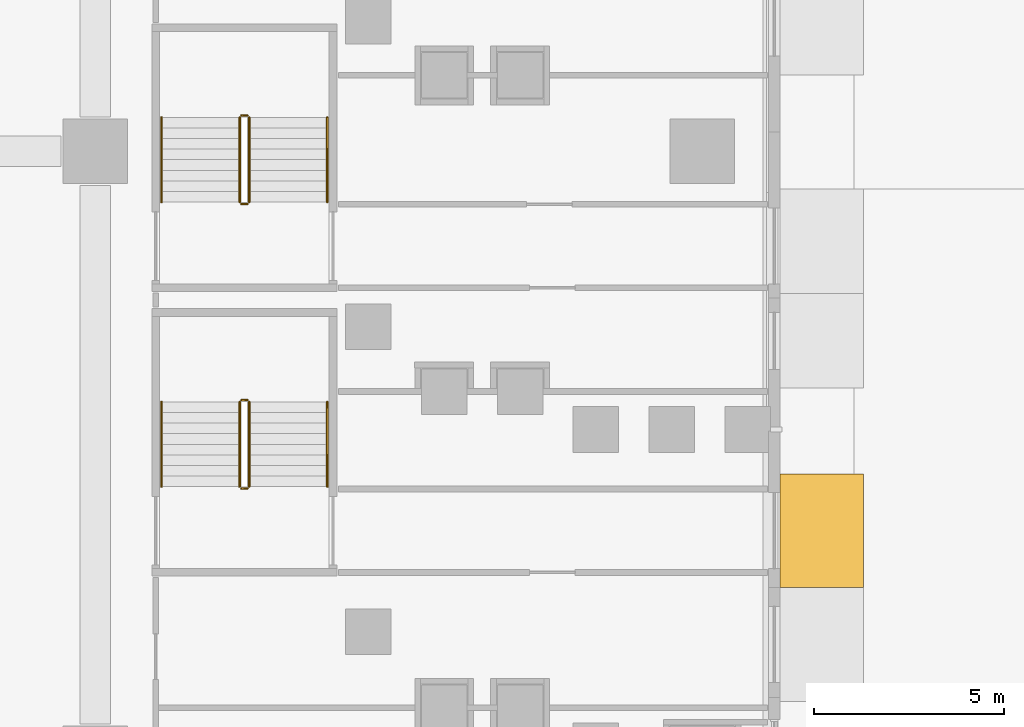
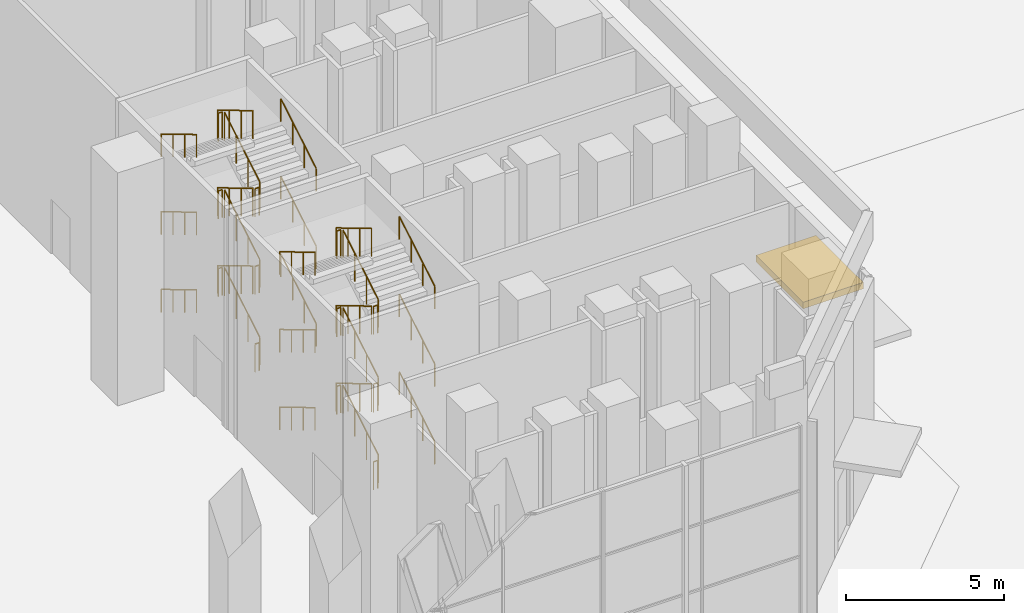
# One storey, part 40 of 51: 36 railings, 1 shading device.
"""IFC4 building model written with IfcOpenShell, lengths in metres."""

from ifc_helpers import new_model, si_unit, direction, frame, origin, origin_2d, place, context, subcontext, project, spatial, rectangle, circle, extrude, material, layer, layer_set, type_object, element, save


model = new_model("IFC4")

# Units and contexts
model_context = context("Model", 3, precision=1e-05, world=origin(), true_north=direction((0.0, 1.0)))
body_context = subcontext(model_context, "Body", "Model", "MODEL_VIEW")
ifc_project = project(units=[si_unit("LENGTHUNIT", "METRE"), si_unit("AREAUNIT", "SQUARE_METRE"), si_unit("VOLUMEUNIT", "CUBIC_METRE"), si_unit("PLANEANGLEUNIT", "RADIAN"), si_unit("MASSUNIT", "GRAM", prefix="KILO")], contexts=[model_context])

# Site, building, storey
site_placement = place(None, origin())
site = spatial("IfcSite", under=ifc_project, at=site_placement, CompositionType="ELEMENT")
building_placement = place(site_placement, origin())
building = spatial("IfcBuilding", under=site, at=building_placement, Name="Calabash Gate Tower", CompositionType="ELEMENT")
storey_placement = place(building_placement, origin())
storey = spatial("IfcBuildingStorey", under=building, at=storey_placement, Name="L00", CompositionType="ELEMENT", Elevation=0.0)

# Shading device
ifc_material_1 = material(Name="Steel framed canopy with laminated glass", Category="steel")
ifc_layer = layer(ifc_material_1, 0.25)
ifc_layer_set = layer_set([ifc_layer], Name="Entrance canopy 250")
shading_device_type = type_object("IfcShadingDeviceType", Name="Entrance canopy 250", PredefinedType="AWNING", material=ifc_layer_set)
shading_device_placement = place(storey_placement, frame((51.14990234375, -34.0, 3.60009765625), z_axis=(0.0, 0.0, 1.0), x_axis=(0.0, 1.0, 0.0)))
element("IfcShadingDevice", 1, at=shading_device_placement, inside=storey, type_object=shading_device_type, Name="Entrance canopy 7", PredefinedType="AWNING", context=body_context, shape_type="SweptSolid", body=[
    extrude(rectangle(XDim=3.0, YDim=2.199951171875, at=origin_2d()), origin(), (0.0, 0.0, 1.0), 0.25),
])

# Railings
ifc_material_2 = material(Name="Black powder-coated steel balusters", Category="steel")
railing_type_1 = type_object("IfcRailingType", Name="Stair guard RL1100", PredefinedType="GUARDRAIL", material=ifc_material_2)
railing_1_placement = place(storey_placement, frame((36.06005859375, -32.840087890625, 0.166748046875)))
element("IfcRailing", 2, at=railing_1_placement, inside=storey, type_object=railing_type_1, Name="L00 PS6 stair guard 1", PredefinedType="GUARDRAIL", context=body_context, shape_type="SweptSolid", body=[
    extrude(circle(Radius=0.02392578125, at=origin_2d()), frame((0.0, 0.0, 1.076171875), z_axis=(0.0, 0.8585185817, 0.512782453753), x_axis=(-1.0, 0.0, 0.0)), (0.0, 0.0, 1.0), 2.60009765625),
    extrude(circle(Radius=0.02099609375, at=origin_2d()), origin(), (0.0, 0.0, 1.0), 1.052001953125),
    extrude(circle(Radius=0.02099609375, at=origin_2d()), frame((0.0, 0.744140625, 0.4443359375)), (0.0, 0.0, 1.0), 1.052001953125),
    extrude(circle(Radius=0.02099609375, at=origin_2d()), frame((0.0, 1.488037109375, 0.888916015625)), (0.0, 0.0, 1.0), 1.052001953125),
    extrude(circle(Radius=0.02099609375, at=origin_2d()), frame((0.0, 2.232177734375, 1.333251953125)), (0.0, 0.0, 1.0), 1.052001953125),
])
railing_2_placement = place(storey_placement, frame((36.010009765625, -30.55810546875, 1.5)))
element("IfcRailing", 3, at=railing_2_placement, inside=storey, type_object=railing_type_1, Name="L00 PS6 stair guard 2", PredefinedType="GUARDRAIL", context=body_context, shape_type="SweptSolid", body=[
    extrude(circle(Radius=0.02392578125, at=origin_2d()), frame((0.0, 0.0, 1.076171875), z_axis=(-1.0, 0.0, 0.0), x_axis=(0.0, -1.0, 0.0)), (0.0, 0.0, 1.0), 0.14990234375),
    extrude(circle(Radius=0.02099609375, at=origin_2d()), origin(), (0.0, 0.0, 1.0), 1.052001953125),
    extrude(circle(Radius=0.02099609375, at=origin_2d()), frame((-0.14990234375, 0.0, 0.0)), (0.0, 0.0, 1.0), 1.052001953125),
])
railing_3_placement = place(storey_placement, frame((35.81005859375, -30.60791015625, 1.666748046875)))
element("IfcRailing", 4, at=railing_3_placement, inside=storey, type_object=railing_type_1, Name="L00 PS6 stair guard 3", PredefinedType="GUARDRAIL", context=body_context, shape_type="SweptSolid", body=[
    extrude(circle(Radius=0.02392578125, at=origin_2d()), frame((0.0, 0.0, 1.076171875), z_axis=(0.0, -0.8585185817, 0.512782453753), x_axis=(1.0, 0.0, 0.0)), (0.0, 0.0, 1.0), 2.60009765625),
    extrude(circle(Radius=0.02099609375, at=origin_2d()), origin(), (0.0, 0.0, 1.0), 1.052001953125),
    extrude(circle(Radius=0.02099609375, at=origin_2d()), frame((0.0, -0.744140625, 0.4443359375)), (0.0, 0.0, 1.0), 1.052001953125),
    extrude(circle(Radius=0.02099609375, at=origin_2d()), frame((0.0, -1.488037109375, 0.888916015625)), (0.0, 0.0, 1.0), 1.052001953125),
    extrude(circle(Radius=0.02099609375, at=origin_2d()), frame((0.0, -2.232177734375, 1.333251953125)), (0.0, 0.0, 1.0), 1.052001953125),
])
railing_4_placement = place(storey_placement, frame((36.010009765625, -32.889892578125, 3.0)))
element("IfcRailing", 5, at=railing_4_placement, inside=storey, type_object=railing_type_1, Name="L00 PS6 stair guard 4", PredefinedType="GUARDRAIL", context=body_context, shape_type="SweptSolid", body=[
    extrude(circle(Radius=0.02392578125, at=origin_2d()), frame((0.0, 0.0, 1.076171875), z_axis=(-1.0, 0.0, 0.0), x_axis=(0.0, -1.0, 0.0)), (0.0, 0.0, 1.0), 0.14990234375),
    extrude(circle(Radius=0.02099609375, at=origin_2d()), origin(), (0.0, 0.0, 1.0), 1.052001953125),
    extrude(circle(Radius=0.02099609375, at=origin_2d()), frame((-0.14990234375, 0.0, 0.0)), (0.0, 0.0, 1.0), 1.052001953125),
])
railing_5_placement = place(storey_placement, frame((36.06005859375, -32.840087890625, 3.166748046875)))
element("IfcRailing", 6, at=railing_5_placement, inside=storey, type_object=railing_type_1, Name="L00 PS6 stair guard 5", PredefinedType="GUARDRAIL", context=body_context, shape_type="SweptSolid", body=[
    extrude(circle(Radius=0.02392578125, at=origin_2d()), frame((0.0, 0.0, 1.076171875), z_axis=(0.0, 0.8585185817, 0.512782453753), x_axis=(-1.0, 0.0, 0.0)), (0.0, 0.0, 1.0), 2.60009765625),
    extrude(circle(Radius=0.02099609375, at=origin_2d()), origin(), (0.0, 0.0, 1.0), 1.052001953125),
    extrude(circle(Radius=0.02099609375, at=origin_2d()), frame((0.0, 0.744140625, 0.4443359375)), (0.0, 0.0, 1.0), 1.052001953125),
    extrude(circle(Radius=0.02099609375, at=origin_2d()), frame((0.0, 1.488037109375, 0.888916015625)), (0.0, 0.0, 1.0), 1.052001953125),
    extrude(circle(Radius=0.02099609375, at=origin_2d()), frame((0.0, 2.232177734375, 1.333251953125)), (0.0, 0.0, 1.0), 1.052001953125),
])
railing_6_placement = place(storey_placement, frame((36.010009765625, -30.55810546875, 4.5)))
element("IfcRailing", 7, at=railing_6_placement, inside=storey, type_object=railing_type_1, Name="L00 PS6 stair guard 6", PredefinedType="GUARDRAIL", context=body_context, shape_type="SweptSolid", body=[
    extrude(circle(Radius=0.02392578125, at=origin_2d()), frame((0.0, 0.0, 1.076171875), z_axis=(-1.0, 0.0, 0.0), x_axis=(0.0, -1.0, 0.0)), (0.0, 0.0, 1.0), 0.14990234375),
    extrude(circle(Radius=0.02099609375, at=origin_2d()), origin(), (0.0, 0.0, 1.0), 1.052001953125),
    extrude(circle(Radius=0.02099609375, at=origin_2d()), frame((-0.14990234375, 0.0, 0.0)), (0.0, 0.0, 1.0), 1.052001953125),
])
railing_7_placement = place(storey_placement, frame((35.81005859375, -30.60791015625, 4.666748046875)))
element("IfcRailing", 8, at=railing_7_placement, inside=storey, type_object=railing_type_1, Name="L00 PS6 stair guard 7", PredefinedType="GUARDRAIL", context=body_context, shape_type="SweptSolid", body=[
    extrude(circle(Radius=0.02392578125, at=origin_2d()), frame((0.0, 0.0, 1.076171875), z_axis=(0.0, -0.8585185817, 0.512782453753), x_axis=(1.0, 0.0, 0.0)), (0.0, 0.0, 1.0), 2.60009765625),
    extrude(circle(Radius=0.02099609375, at=origin_2d()), origin(), (0.0, 0.0, 1.0), 1.052001953125),
    extrude(circle(Radius=0.02099609375, at=origin_2d()), frame((0.0, -0.744140625, 0.4443359375)), (0.0, 0.0, 1.0), 1.052001953125),
    extrude(circle(Radius=0.02099609375, at=origin_2d()), frame((0.0, -1.488037109375, 0.888916015625)), (0.0, 0.0, 1.0), 1.052001953125),
    extrude(circle(Radius=0.02099609375, at=origin_2d()), frame((0.0, -2.232177734375, 1.333251953125)), (0.0, 0.0, 1.0), 1.052001953125),
])
railing_8_placement = place(storey_placement, frame((36.010009765625, -32.889892578125, 6.0)))
element("IfcRailing", 9, at=railing_8_placement, inside=storey, type_object=railing_type_1, Name="L00 PS6 stair guard 8", PredefinedType="GUARDRAIL", context=body_context, shape_type="SweptSolid", body=[
    extrude(circle(Radius=0.02392578125, at=origin_2d()), frame((0.0, 0.0, 1.076171875), z_axis=(-1.0, 0.0, 0.0), x_axis=(0.0, -1.0, 0.0)), (0.0, 0.0, 1.0), 0.14990234375),
    extrude(circle(Radius=0.02099609375, at=origin_2d()), origin(), (0.0, 0.0, 1.0), 1.052001953125),
    extrude(circle(Radius=0.02099609375, at=origin_2d()), frame((-0.14990234375, 0.0, 0.0)), (0.0, 0.0, 1.0), 1.052001953125),
])
railing_9_placement = place(storey_placement, frame((36.06005859375, -32.840087890625, 6.166748046875)))
element("IfcRailing", 10, at=railing_9_placement, inside=storey, type_object=railing_type_1, Name="L00 PS6 stair guard 9", PredefinedType="GUARDRAIL", context=body_context, shape_type="SweptSolid", body=[
    extrude(circle(Radius=0.02392578125, at=origin_2d()), frame((0.0, 0.0, 1.076171875), z_axis=(0.0, 0.8585185817, 0.512782453753), x_axis=(-1.0, 0.0, 0.0)), (0.0, 0.0, 1.0), 2.60009765625),
    extrude(circle(Radius=0.02099609375, at=origin_2d()), origin(), (0.0, 0.0, 1.0), 1.052001953125),
    extrude(circle(Radius=0.02099609375, at=origin_2d()), frame((0.0, 0.744140625, 0.4443359375)), (0.0, 0.0, 1.0), 1.052001953125),
    extrude(circle(Radius=0.02099609375, at=origin_2d()), frame((0.0, 1.488037109375, 0.888916015625)), (0.0, 0.0, 1.0), 1.052001953125),
    extrude(circle(Radius=0.02099609375, at=origin_2d()), frame((0.0, 2.232177734375, 1.333251953125)), (0.0, 0.0, 1.0), 1.052001953125),
])
railing_10_placement = place(storey_placement, frame((36.010009765625, -30.55810546875, 7.5)))
element("IfcRailing", 11, at=railing_10_placement, inside=storey, type_object=railing_type_1, Name="L00 PS6 stair guard 10", PredefinedType="GUARDRAIL", context=body_context, shape_type="SweptSolid", body=[
    extrude(circle(Radius=0.02392578125, at=origin_2d()), frame((0.0, 0.0, 1.076171875), z_axis=(-1.0, 0.0, 0.0), x_axis=(0.0, -1.0, 0.0)), (0.0, 0.0, 1.0), 0.14990234375),
    extrude(circle(Radius=0.02099609375, at=origin_2d()), origin(), (0.0, 0.0, 1.0), 1.052001953125),
    extrude(circle(Radius=0.02099609375, at=origin_2d()), frame((-0.14990234375, 0.0, 0.0)), (0.0, 0.0, 1.0), 1.052001953125),
])
railing_11_placement = place(storey_placement, frame((35.81005859375, -30.60791015625, 7.666748046875)))
element("IfcRailing", 12, at=railing_11_placement, inside=storey, type_object=railing_type_1, Name="L00 PS6 stair guard 11", PredefinedType="GUARDRAIL", context=body_context, shape_type="SweptSolid", body=[
    extrude(circle(Radius=0.02392578125, at=origin_2d()), frame((0.0, 0.0, 1.076171875), z_axis=(0.0, -0.8585185817, 0.512782453753), x_axis=(1.0, 0.0, 0.0)), (0.0, 0.0, 1.0), 2.60009765625),
    extrude(circle(Radius=0.02099609375, at=origin_2d()), origin(), (0.0, 0.0, 1.0), 1.052001953125),
    extrude(circle(Radius=0.02099609375, at=origin_2d()), frame((0.0, -0.744140625, 0.4443359375)), (0.0, 0.0, 1.0), 1.052001953125),
    extrude(circle(Radius=0.02099609375, at=origin_2d()), frame((0.0, -1.488037109375, 0.888916015625)), (0.0, 0.0, 1.0), 1.052001953125),
    extrude(circle(Radius=0.02099609375, at=origin_2d()), frame((0.0, -2.232177734375, 1.333251953125)), (0.0, 0.0, 1.0), 1.052001953125),
])
railing_12_placement = place(storey_placement, frame((36.010009765625, -32.889892578125, 0.0)))
element("IfcRailing", 13, at=railing_12_placement, inside=storey, type_object=railing_type_1, Name="L00 PS6 stair guard 12", PredefinedType="GUARDRAIL", context=body_context, shape_type="SweptSolid", body=[
    extrude(circle(Radius=0.02392578125, at=origin_2d()), frame((0.0, 0.0, 1.076171875), z_axis=(-1.0, 0.0, 0.0), x_axis=(0.0, -1.0, 0.0)), (0.0, 0.0, 1.0), 0.14990234375),
    extrude(circle(Radius=0.02099609375, at=origin_2d()), origin(), (0.0, 0.0, 1.0), 1.052001953125),
    extrude(circle(Radius=0.02099609375, at=origin_2d()), frame((-0.14990234375, 0.0, 0.0)), (0.0, 0.0, 1.0), 1.052001953125),
])
railing_13_placement = place(storey_placement, frame((36.06005859375, -25.340087890625, 0.166748046875)))
element("IfcRailing", 14, at=railing_13_placement, inside=storey, type_object=railing_type_1, Name="L00 PS7 stair guard 1", PredefinedType="GUARDRAIL", context=body_context, shape_type="SweptSolid", body=[
    extrude(circle(Radius=0.02392578125, at=origin_2d()), frame((0.0, 0.0, 1.076171875), z_axis=(0.0, 0.8585185817, 0.512782453753), x_axis=(-1.0, 0.0, 0.0)), (0.0, 0.0, 1.0), 2.60009765625),
    extrude(circle(Radius=0.02099609375, at=origin_2d()), origin(), (0.0, 0.0, 1.0), 1.052001953125),
    extrude(circle(Radius=0.02099609375, at=origin_2d()), frame((0.0, 0.744140625, 0.4443359375)), (0.0, 0.0, 1.0), 1.052001953125),
    extrude(circle(Radius=0.02099609375, at=origin_2d()), frame((0.0, 1.488037109375, 0.888916015625)), (0.0, 0.0, 1.0), 1.052001953125),
    extrude(circle(Radius=0.02099609375, at=origin_2d()), frame((0.0, 2.232177734375, 1.333251953125)), (0.0, 0.0, 1.0), 1.052001953125),
])
railing_14_placement = place(storey_placement, frame((36.010009765625, -23.05810546875, 1.5)))
element("IfcRailing", 15, at=railing_14_placement, inside=storey, type_object=railing_type_1, Name="L00 PS7 stair guard 2", PredefinedType="GUARDRAIL", context=body_context, shape_type="SweptSolid", body=[
    extrude(circle(Radius=0.02392578125, at=origin_2d()), frame((0.0, 0.0, 1.076171875), z_axis=(-1.0, 0.0, 0.0), x_axis=(0.0, -1.0, 0.0)), (0.0, 0.0, 1.0), 0.14990234375),
    extrude(circle(Radius=0.02099609375, at=origin_2d()), origin(), (0.0, 0.0, 1.0), 1.052001953125),
    extrude(circle(Radius=0.02099609375, at=origin_2d()), frame((-0.14990234375, 0.0, 0.0)), (0.0, 0.0, 1.0), 1.052001953125),
])
railing_15_placement = place(storey_placement, frame((35.81005859375, -23.10791015625, 1.666748046875)))
element("IfcRailing", 16, at=railing_15_placement, inside=storey, type_object=railing_type_1, Name="L00 PS7 stair guard 3", PredefinedType="GUARDRAIL", context=body_context, shape_type="SweptSolid", body=[
    extrude(circle(Radius=0.02392578125, at=origin_2d()), frame((0.0, 0.0, 1.076171875), z_axis=(0.0, -0.8585185817, 0.512782453753), x_axis=(1.0, 0.0, 0.0)), (0.0, 0.0, 1.0), 2.60009765625),
    extrude(circle(Radius=0.02099609375, at=origin_2d()), origin(), (0.0, 0.0, 1.0), 1.052001953125),
    extrude(circle(Radius=0.02099609375, at=origin_2d()), frame((0.0, -0.744140625, 0.4443359375)), (0.0, 0.0, 1.0), 1.052001953125),
    extrude(circle(Radius=0.02099609375, at=origin_2d()), frame((0.0, -1.488037109375, 0.888916015625)), (0.0, 0.0, 1.0), 1.052001953125),
    extrude(circle(Radius=0.02099609375, at=origin_2d()), frame((0.0, -2.232177734375, 1.333251953125)), (0.0, 0.0, 1.0), 1.052001953125),
])
railing_16_placement = place(storey_placement, frame((36.010009765625, -25.389892578125, 3.0)))
element("IfcRailing", 17, at=railing_16_placement, inside=storey, type_object=railing_type_1, Name="L00 PS7 stair guard 4", PredefinedType="GUARDRAIL", context=body_context, shape_type="SweptSolid", body=[
    extrude(circle(Radius=0.02392578125, at=origin_2d()), frame((0.0, 0.0, 1.076171875), z_axis=(-1.0, 0.0, 0.0), x_axis=(0.0, -1.0, 0.0)), (0.0, 0.0, 1.0), 0.14990234375),
    extrude(circle(Radius=0.02099609375, at=origin_2d()), origin(), (0.0, 0.0, 1.0), 1.052001953125),
    extrude(circle(Radius=0.02099609375, at=origin_2d()), frame((-0.14990234375, 0.0, 0.0)), (0.0, 0.0, 1.0), 1.052001953125),
])
railing_17_placement = place(storey_placement, frame((36.06005859375, -25.340087890625, 3.166748046875)))
element("IfcRailing", 18, at=railing_17_placement, inside=storey, type_object=railing_type_1, Name="L00 PS7 stair guard 5", PredefinedType="GUARDRAIL", context=body_context, shape_type="SweptSolid", body=[
    extrude(circle(Radius=0.02392578125, at=origin_2d()), frame((0.0, 0.0, 1.076171875), z_axis=(0.0, 0.8585185817, 0.512782453753), x_axis=(-1.0, 0.0, 0.0)), (0.0, 0.0, 1.0), 2.60009765625),
    extrude(circle(Radius=0.02099609375, at=origin_2d()), origin(), (0.0, 0.0, 1.0), 1.052001953125),
    extrude(circle(Radius=0.02099609375, at=origin_2d()), frame((0.0, 0.744140625, 0.4443359375)), (0.0, 0.0, 1.0), 1.052001953125),
    extrude(circle(Radius=0.02099609375, at=origin_2d()), frame((0.0, 1.488037109375, 0.888916015625)), (0.0, 0.0, 1.0), 1.052001953125),
    extrude(circle(Radius=0.02099609375, at=origin_2d()), frame((0.0, 2.232177734375, 1.333251953125)), (0.0, 0.0, 1.0), 1.052001953125),
])
railing_18_placement = place(storey_placement, frame((36.010009765625, -23.05810546875, 4.5)))
element("IfcRailing", 19, at=railing_18_placement, inside=storey, type_object=railing_type_1, Name="L00 PS7 stair guard 6", PredefinedType="GUARDRAIL", context=body_context, shape_type="SweptSolid", body=[
    extrude(circle(Radius=0.02392578125, at=origin_2d()), frame((0.0, 0.0, 1.076171875), z_axis=(-1.0, 0.0, 0.0), x_axis=(0.0, -1.0, 0.0)), (0.0, 0.0, 1.0), 0.14990234375),
    extrude(circle(Radius=0.02099609375, at=origin_2d()), origin(), (0.0, 0.0, 1.0), 1.052001953125),
    extrude(circle(Radius=0.02099609375, at=origin_2d()), frame((-0.14990234375, 0.0, 0.0)), (0.0, 0.0, 1.0), 1.052001953125),
])
railing_19_placement = place(storey_placement, frame((35.81005859375, -23.10791015625, 4.666748046875)))
element("IfcRailing", 20, at=railing_19_placement, inside=storey, type_object=railing_type_1, Name="L00 PS7 stair guard 7", PredefinedType="GUARDRAIL", context=body_context, shape_type="SweptSolid", body=[
    extrude(circle(Radius=0.02392578125, at=origin_2d()), frame((0.0, 0.0, 1.076171875), z_axis=(0.0, -0.8585185817, 0.512782453753), x_axis=(1.0, 0.0, 0.0)), (0.0, 0.0, 1.0), 2.60009765625),
    extrude(circle(Radius=0.02099609375, at=origin_2d()), origin(), (0.0, 0.0, 1.0), 1.052001953125),
    extrude(circle(Radius=0.02099609375, at=origin_2d()), frame((0.0, -0.744140625, 0.4443359375)), (0.0, 0.0, 1.0), 1.052001953125),
    extrude(circle(Radius=0.02099609375, at=origin_2d()), frame((0.0, -1.488037109375, 0.888916015625)), (0.0, 0.0, 1.0), 1.052001953125),
    extrude(circle(Radius=0.02099609375, at=origin_2d()), frame((0.0, -2.232177734375, 1.333251953125)), (0.0, 0.0, 1.0), 1.052001953125),
])
railing_20_placement = place(storey_placement, frame((36.010009765625, -25.389892578125, 6.0)))
element("IfcRailing", 21, at=railing_20_placement, inside=storey, type_object=railing_type_1, Name="L00 PS7 stair guard 8", PredefinedType="GUARDRAIL", context=body_context, shape_type="SweptSolid", body=[
    extrude(circle(Radius=0.02392578125, at=origin_2d()), frame((0.0, 0.0, 1.076171875), z_axis=(-1.0, 0.0, 0.0), x_axis=(0.0, -1.0, 0.0)), (0.0, 0.0, 1.0), 0.14990234375),
    extrude(circle(Radius=0.02099609375, at=origin_2d()), origin(), (0.0, 0.0, 1.0), 1.052001953125),
    extrude(circle(Radius=0.02099609375, at=origin_2d()), frame((-0.14990234375, 0.0, 0.0)), (0.0, 0.0, 1.0), 1.052001953125),
])
railing_21_placement = place(storey_placement, frame((36.06005859375, -25.340087890625, 6.166748046875)))
element("IfcRailing", 22, at=railing_21_placement, inside=storey, type_object=railing_type_1, Name="L00 PS7 stair guard 9", PredefinedType="GUARDRAIL", context=body_context, shape_type="SweptSolid", body=[
    extrude(circle(Radius=0.02392578125, at=origin_2d()), frame((0.0, 0.0, 1.076171875), z_axis=(0.0, 0.8585185817, 0.512782453753), x_axis=(-1.0, 0.0, 0.0)), (0.0, 0.0, 1.0), 2.60009765625),
    extrude(circle(Radius=0.02099609375, at=origin_2d()), origin(), (0.0, 0.0, 1.0), 1.052001953125),
    extrude(circle(Radius=0.02099609375, at=origin_2d()), frame((0.0, 0.744140625, 0.4443359375)), (0.0, 0.0, 1.0), 1.052001953125),
    extrude(circle(Radius=0.02099609375, at=origin_2d()), frame((0.0, 1.488037109375, 0.888916015625)), (0.0, 0.0, 1.0), 1.052001953125),
    extrude(circle(Radius=0.02099609375, at=origin_2d()), frame((0.0, 2.232177734375, 1.333251953125)), (0.0, 0.0, 1.0), 1.052001953125),
])
railing_22_placement = place(storey_placement, frame((36.010009765625, -23.05810546875, 7.5)))
element("IfcRailing", 23, at=railing_22_placement, inside=storey, type_object=railing_type_1, Name="L00 PS7 stair guard 10", PredefinedType="GUARDRAIL", context=body_context, shape_type="SweptSolid", body=[
    extrude(circle(Radius=0.02392578125, at=origin_2d()), frame((0.0, 0.0, 1.076171875), z_axis=(-1.0, 0.0, 0.0), x_axis=(0.0, -1.0, 0.0)), (0.0, 0.0, 1.0), 0.14990234375),
    extrude(circle(Radius=0.02099609375, at=origin_2d()), origin(), (0.0, 0.0, 1.0), 1.052001953125),
    extrude(circle(Radius=0.02099609375, at=origin_2d()), frame((-0.14990234375, 0.0, 0.0)), (0.0, 0.0, 1.0), 1.052001953125),
])
railing_23_placement = place(storey_placement, frame((35.81005859375, -23.10791015625, 7.666748046875)))
element("IfcRailing", 24, at=railing_23_placement, inside=storey, type_object=railing_type_1, Name="L00 PS7 stair guard 11", PredefinedType="GUARDRAIL", context=body_context, shape_type="SweptSolid", body=[
    extrude(circle(Radius=0.02392578125, at=origin_2d()), frame((0.0, 0.0, 1.076171875), z_axis=(0.0, -0.8585185817, 0.512782453753), x_axis=(1.0, 0.0, 0.0)), (0.0, 0.0, 1.0), 2.60009765625),
    extrude(circle(Radius=0.02099609375, at=origin_2d()), origin(), (0.0, 0.0, 1.0), 1.052001953125),
    extrude(circle(Radius=0.02099609375, at=origin_2d()), frame((0.0, -0.744140625, 0.4443359375)), (0.0, 0.0, 1.0), 1.052001953125),
    extrude(circle(Radius=0.02099609375, at=origin_2d()), frame((0.0, -1.488037109375, 0.888916015625)), (0.0, 0.0, 1.0), 1.052001953125),
    extrude(circle(Radius=0.02099609375, at=origin_2d()), frame((0.0, -2.232177734375, 1.333251953125)), (0.0, 0.0, 1.0), 1.052001953125),
])
railing_24_placement = place(storey_placement, frame((36.010009765625, -25.389892578125, 0.0)))
element("IfcRailing", 25, at=railing_24_placement, inside=storey, type_object=railing_type_1, Name="L00 PS7 stair guard 12", PredefinedType="GUARDRAIL", context=body_context, shape_type="SweptSolid", body=[
    extrude(circle(Radius=0.02392578125, at=origin_2d()), frame((0.0, 0.0, 1.076171875), z_axis=(-1.0, 0.0, 0.0), x_axis=(0.0, -1.0, 0.0)), (0.0, 0.0, 1.0), 0.14990234375),
    extrude(circle(Radius=0.02099609375, at=origin_2d()), origin(), (0.0, 0.0, 1.0), 1.052001953125),
    extrude(circle(Radius=0.02099609375, at=origin_2d()), frame((-0.14990234375, 0.0, 0.0)), (0.0, 0.0, 1.0), 1.052001953125),
])
ifc_material_3 = material(Name="Black powder-coated steel tube 48 mm", Category="steel")
railing_type_2 = type_object("IfcRailingType", Name="Stair handrail RL900", PredefinedType="HANDRAIL", material=ifc_material_3)
railing_25_placement = place(storey_placement, frame((38.1201171875, -32.840087890625, 0.166748046875)))
element("IfcRailing", 26, at=railing_25_placement, inside=storey, type_object=railing_type_2, Name="L00 PS6 stair handrail 1", PredefinedType="HANDRAIL", context=body_context, shape_type="SweptSolid", body=[
    extrude(circle(Radius=0.02392578125, at=origin_2d()), frame((0.0, 0.0, 0.8759765625), z_axis=(0.0, 0.8585185817, 0.512782453753), x_axis=(-1.0, 0.0, 0.0)), (0.0, 0.0, 1.0), 2.60009765625),
    extrude(circle(Radius=0.02099609375, at=origin_2d()), origin(), (0.0, 0.0, 1.0), 0.851806640625),
    extrude(circle(Radius=0.02099609375, at=origin_2d()), frame((0.0, 0.744140625, 0.4443359375)), (0.0, 0.0, 1.0), 0.851806640625),
    extrude(circle(Radius=0.02099609375, at=origin_2d()), frame((0.0, 1.488037109375, 0.888916015625)), (0.0, 0.0, 1.0), 0.851806640625),
    extrude(circle(Radius=0.02099609375, at=origin_2d()), frame((0.0, 2.232177734375, 1.333251953125)), (0.0, 0.0, 1.0), 0.851806640625),
])
railing_26_placement = place(storey_placement, frame((33.75, -30.60791015625, 1.666748046875)))
element("IfcRailing", 27, at=railing_26_placement, inside=storey, type_object=railing_type_2, Name="L00 PS6 stair handrail 2", PredefinedType="HANDRAIL", context=body_context, shape_type="SweptSolid", body=[
    extrude(circle(Radius=0.02392578125, at=origin_2d()), frame((0.0, 0.0, 0.8759765625), z_axis=(0.0, -0.8585185817, 0.512782453753), x_axis=(1.0, 0.0, 0.0)), (0.0, 0.0, 1.0), 2.60009765625),
    extrude(circle(Radius=0.02099609375, at=origin_2d()), origin(), (0.0, 0.0, 1.0), 0.851806640625),
    extrude(circle(Radius=0.02099609375, at=origin_2d()), frame((0.0, -0.744140625, 0.4443359375)), (0.0, 0.0, 1.0), 0.851806640625),
    extrude(circle(Radius=0.02099609375, at=origin_2d()), frame((0.0, -1.488037109375, 0.888916015625)), (0.0, 0.0, 1.0), 0.851806640625),
    extrude(circle(Radius=0.02099609375, at=origin_2d()), frame((0.0, -2.232177734375, 1.333251953125)), (0.0, 0.0, 1.0), 0.851806640625),
])
railing_27_placement = place(storey_placement, frame((38.1201171875, -32.840087890625, 3.166748046875)))
element("IfcRailing", 28, at=railing_27_placement, inside=storey, type_object=railing_type_2, Name="L00 PS6 stair handrail 3", PredefinedType="HANDRAIL", context=body_context, shape_type="SweptSolid", body=[
    extrude(circle(Radius=0.02392578125, at=origin_2d()), frame((0.0, 0.0, 0.8759765625), z_axis=(0.0, 0.8585185817, 0.512782453753), x_axis=(-1.0, 0.0, 0.0)), (0.0, 0.0, 1.0), 2.60009765625),
    extrude(circle(Radius=0.02099609375, at=origin_2d()), origin(), (0.0, 0.0, 1.0), 0.851806640625),
    extrude(circle(Radius=0.02099609375, at=origin_2d()), frame((0.0, 0.744140625, 0.4443359375)), (0.0, 0.0, 1.0), 0.851806640625),
    extrude(circle(Radius=0.02099609375, at=origin_2d()), frame((0.0, 1.488037109375, 0.888916015625)), (0.0, 0.0, 1.0), 0.851806640625),
    extrude(circle(Radius=0.02099609375, at=origin_2d()), frame((0.0, 2.232177734375, 1.333251953125)), (0.0, 0.0, 1.0), 0.851806640625),
])
railing_28_placement = place(storey_placement, frame((33.75, -30.60791015625, 4.666748046875)))
element("IfcRailing", 29, at=railing_28_placement, inside=storey, type_object=railing_type_2, Name="L00 PS6 stair handrail 4", PredefinedType="HANDRAIL", context=body_context, shape_type="SweptSolid", body=[
    extrude(circle(Radius=0.02392578125, at=origin_2d()), frame((0.0, 0.0, 0.8759765625), z_axis=(0.0, -0.8585185817, 0.512782453753), x_axis=(1.0, 0.0, 0.0)), (0.0, 0.0, 1.0), 2.60009765625),
    extrude(circle(Radius=0.02099609375, at=origin_2d()), origin(), (0.0, 0.0, 1.0), 0.851806640625),
    extrude(circle(Radius=0.02099609375, at=origin_2d()), frame((0.0, -0.744140625, 0.4443359375)), (0.0, 0.0, 1.0), 0.851806640625),
    extrude(circle(Radius=0.02099609375, at=origin_2d()), frame((0.0, -1.488037109375, 0.888916015625)), (0.0, 0.0, 1.0), 0.851806640625),
    extrude(circle(Radius=0.02099609375, at=origin_2d()), frame((0.0, -2.232177734375, 1.333251953125)), (0.0, 0.0, 1.0), 0.851806640625),
])
railing_29_placement = place(storey_placement, frame((38.1201171875, -32.840087890625, 6.166748046875)))
element("IfcRailing", 30, at=railing_29_placement, inside=storey, type_object=railing_type_2, Name="L00 PS6 stair handrail 5", PredefinedType="HANDRAIL", context=body_context, shape_type="SweptSolid", body=[
    extrude(circle(Radius=0.02392578125, at=origin_2d()), frame((0.0, 0.0, 0.8759765625), z_axis=(0.0, 0.8585185817, 0.512782453753), x_axis=(-1.0, 0.0, 0.0)), (0.0, 0.0, 1.0), 2.60009765625),
    extrude(circle(Radius=0.02099609375, at=origin_2d()), origin(), (0.0, 0.0, 1.0), 0.851806640625),
    extrude(circle(Radius=0.02099609375, at=origin_2d()), frame((0.0, 0.744140625, 0.4443359375)), (0.0, 0.0, 1.0), 0.851806640625),
    extrude(circle(Radius=0.02099609375, at=origin_2d()), frame((0.0, 1.488037109375, 0.888916015625)), (0.0, 0.0, 1.0), 0.851806640625),
    extrude(circle(Radius=0.02099609375, at=origin_2d()), frame((0.0, 2.232177734375, 1.333251953125)), (0.0, 0.0, 1.0), 0.851806640625),
])
railing_30_placement = place(storey_placement, frame((33.75, -30.60791015625, 7.666748046875)))
element("IfcRailing", 31, at=railing_30_placement, inside=storey, type_object=railing_type_2, Name="L00 PS6 stair handrail 6", PredefinedType="HANDRAIL", context=body_context, shape_type="SweptSolid", body=[
    extrude(circle(Radius=0.02392578125, at=origin_2d()), frame((0.0, 0.0, 0.8759765625), z_axis=(0.0, -0.8585185817, 0.512782453753), x_axis=(1.0, 0.0, 0.0)), (0.0, 0.0, 1.0), 2.60009765625),
    extrude(circle(Radius=0.02099609375, at=origin_2d()), origin(), (0.0, 0.0, 1.0), 0.851806640625),
    extrude(circle(Radius=0.02099609375, at=origin_2d()), frame((0.0, -0.744140625, 0.4443359375)), (0.0, 0.0, 1.0), 0.851806640625),
    extrude(circle(Radius=0.02099609375, at=origin_2d()), frame((0.0, -1.488037109375, 0.888916015625)), (0.0, 0.0, 1.0), 0.851806640625),
    extrude(circle(Radius=0.02099609375, at=origin_2d()), frame((0.0, -2.232177734375, 1.333251953125)), (0.0, 0.0, 1.0), 0.851806640625),
])
railing_31_placement = place(storey_placement, frame((38.1201171875, -25.340087890625, 0.166748046875)))
element("IfcRailing", 32, at=railing_31_placement, inside=storey, type_object=railing_type_2, Name="L00 PS7 stair handrail 1", PredefinedType="HANDRAIL", context=body_context, shape_type="SweptSolid", body=[
    extrude(circle(Radius=0.02392578125, at=origin_2d()), frame((0.0, 0.0, 0.8759765625), z_axis=(0.0, 0.8585185817, 0.512782453753), x_axis=(-1.0, 0.0, 0.0)), (0.0, 0.0, 1.0), 2.60009765625),
    extrude(circle(Radius=0.02099609375, at=origin_2d()), origin(), (0.0, 0.0, 1.0), 0.851806640625),
    extrude(circle(Radius=0.02099609375, at=origin_2d()), frame((0.0, 0.744140625, 0.4443359375)), (0.0, 0.0, 1.0), 0.851806640625),
    extrude(circle(Radius=0.02099609375, at=origin_2d()), frame((0.0, 1.488037109375, 0.888916015625)), (0.0, 0.0, 1.0), 0.851806640625),
    extrude(circle(Radius=0.02099609375, at=origin_2d()), frame((0.0, 2.232177734375, 1.333251953125)), (0.0, 0.0, 1.0), 0.851806640625),
])
railing_32_placement = place(storey_placement, frame((33.75, -23.10791015625, 1.666748046875)))
element("IfcRailing", 33, at=railing_32_placement, inside=storey, type_object=railing_type_2, Name="L00 PS7 stair handrail 2", PredefinedType="HANDRAIL", context=body_context, shape_type="SweptSolid", body=[
    extrude(circle(Radius=0.02392578125, at=origin_2d()), frame((0.0, 0.0, 0.8759765625), z_axis=(0.0, -0.8585185817, 0.512782453753), x_axis=(1.0, 0.0, 0.0)), (0.0, 0.0, 1.0), 2.60009765625),
    extrude(circle(Radius=0.02099609375, at=origin_2d()), origin(), (0.0, 0.0, 1.0), 0.851806640625),
    extrude(circle(Radius=0.02099609375, at=origin_2d()), frame((0.0, -0.744140625, 0.4443359375)), (0.0, 0.0, 1.0), 0.851806640625),
    extrude(circle(Radius=0.02099609375, at=origin_2d()), frame((0.0, -1.488037109375, 0.888916015625)), (0.0, 0.0, 1.0), 0.851806640625),
    extrude(circle(Radius=0.02099609375, at=origin_2d()), frame((0.0, -2.232177734375, 1.333251953125)), (0.0, 0.0, 1.0), 0.851806640625),
])
railing_33_placement = place(storey_placement, frame((38.1201171875, -25.340087890625, 3.166748046875)))
element("IfcRailing", 34, at=railing_33_placement, inside=storey, type_object=railing_type_2, Name="L00 PS7 stair handrail 3", PredefinedType="HANDRAIL", context=body_context, shape_type="SweptSolid", body=[
    extrude(circle(Radius=0.02392578125, at=origin_2d()), frame((0.0, 0.0, 0.8759765625), z_axis=(0.0, 0.8585185817, 0.512782453753), x_axis=(-1.0, 0.0, 0.0)), (0.0, 0.0, 1.0), 2.60009765625),
    extrude(circle(Radius=0.02099609375, at=origin_2d()), origin(), (0.0, 0.0, 1.0), 0.851806640625),
    extrude(circle(Radius=0.02099609375, at=origin_2d()), frame((0.0, 0.744140625, 0.4443359375)), (0.0, 0.0, 1.0), 0.851806640625),
    extrude(circle(Radius=0.02099609375, at=origin_2d()), frame((0.0, 1.488037109375, 0.888916015625)), (0.0, 0.0, 1.0), 0.851806640625),
    extrude(circle(Radius=0.02099609375, at=origin_2d()), frame((0.0, 2.232177734375, 1.333251953125)), (0.0, 0.0, 1.0), 0.851806640625),
])
railing_34_placement = place(storey_placement, frame((33.75, -23.10791015625, 4.666748046875)))
element("IfcRailing", 35, at=railing_34_placement, inside=storey, type_object=railing_type_2, Name="L00 PS7 stair handrail 4", PredefinedType="HANDRAIL", context=body_context, shape_type="SweptSolid", body=[
    extrude(circle(Radius=0.02392578125, at=origin_2d()), frame((0.0, 0.0, 0.8759765625), z_axis=(0.0, -0.8585185817, 0.512782453753), x_axis=(1.0, 0.0, 0.0)), (0.0, 0.0, 1.0), 2.60009765625),
    extrude(circle(Radius=0.02099609375, at=origin_2d()), origin(), (0.0, 0.0, 1.0), 0.851806640625),
    extrude(circle(Radius=0.02099609375, at=origin_2d()), frame((0.0, -0.744140625, 0.4443359375)), (0.0, 0.0, 1.0), 0.851806640625),
    extrude(circle(Radius=0.02099609375, at=origin_2d()), frame((0.0, -1.488037109375, 0.888916015625)), (0.0, 0.0, 1.0), 0.851806640625),
    extrude(circle(Radius=0.02099609375, at=origin_2d()), frame((0.0, -2.232177734375, 1.333251953125)), (0.0, 0.0, 1.0), 0.851806640625),
])
railing_35_placement = place(storey_placement, frame((38.1201171875, -25.340087890625, 6.166748046875)))
element("IfcRailing", 36, at=railing_35_placement, inside=storey, type_object=railing_type_2, Name="L00 PS7 stair handrail 5", PredefinedType="HANDRAIL", context=body_context, shape_type="SweptSolid", body=[
    extrude(circle(Radius=0.02392578125, at=origin_2d()), frame((0.0, 0.0, 0.8759765625), z_axis=(0.0, 0.8585185817, 0.512782453753), x_axis=(-1.0, 0.0, 0.0)), (0.0, 0.0, 1.0), 2.60009765625),
    extrude(circle(Radius=0.02099609375, at=origin_2d()), origin(), (0.0, 0.0, 1.0), 0.851806640625),
    extrude(circle(Radius=0.02099609375, at=origin_2d()), frame((0.0, 0.744140625, 0.4443359375)), (0.0, 0.0, 1.0), 0.851806640625),
    extrude(circle(Radius=0.02099609375, at=origin_2d()), frame((0.0, 1.488037109375, 0.888916015625)), (0.0, 0.0, 1.0), 0.851806640625),
    extrude(circle(Radius=0.02099609375, at=origin_2d()), frame((0.0, 2.232177734375, 1.333251953125)), (0.0, 0.0, 1.0), 0.851806640625),
])
railing_36_placement = place(storey_placement, frame((33.75, -23.10791015625, 7.666748046875)))
element("IfcRailing", 37, at=railing_36_placement, inside=storey, type_object=railing_type_2, Name="L00 PS7 stair handrail 6", PredefinedType="HANDRAIL", context=body_context, shape_type="SweptSolid", body=[
    extrude(circle(Radius=0.02392578125, at=origin_2d()), frame((0.0, 0.0, 0.8759765625), z_axis=(0.0, -0.8585185817, 0.512782453753), x_axis=(1.0, 0.0, 0.0)), (0.0, 0.0, 1.0), 2.60009765625),
    extrude(circle(Radius=0.02099609375, at=origin_2d()), origin(), (0.0, 0.0, 1.0), 0.851806640625),
    extrude(circle(Radius=0.02099609375, at=origin_2d()), frame((0.0, -0.744140625, 0.4443359375)), (0.0, 0.0, 1.0), 0.851806640625),
    extrude(circle(Radius=0.02099609375, at=origin_2d()), frame((0.0, -1.488037109375, 0.888916015625)), (0.0, 0.0, 1.0), 0.851806640625),
    extrude(circle(Radius=0.02099609375, at=origin_2d()), frame((0.0, -2.232177734375, 1.333251953125)), (0.0, 0.0, 1.0), 0.851806640625),
])

save(model, "model.ifc")
